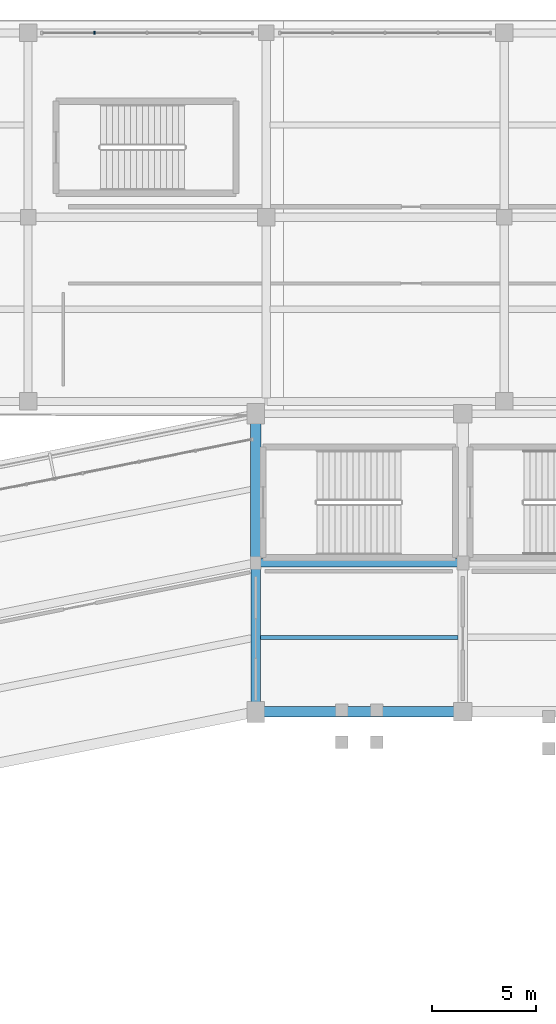
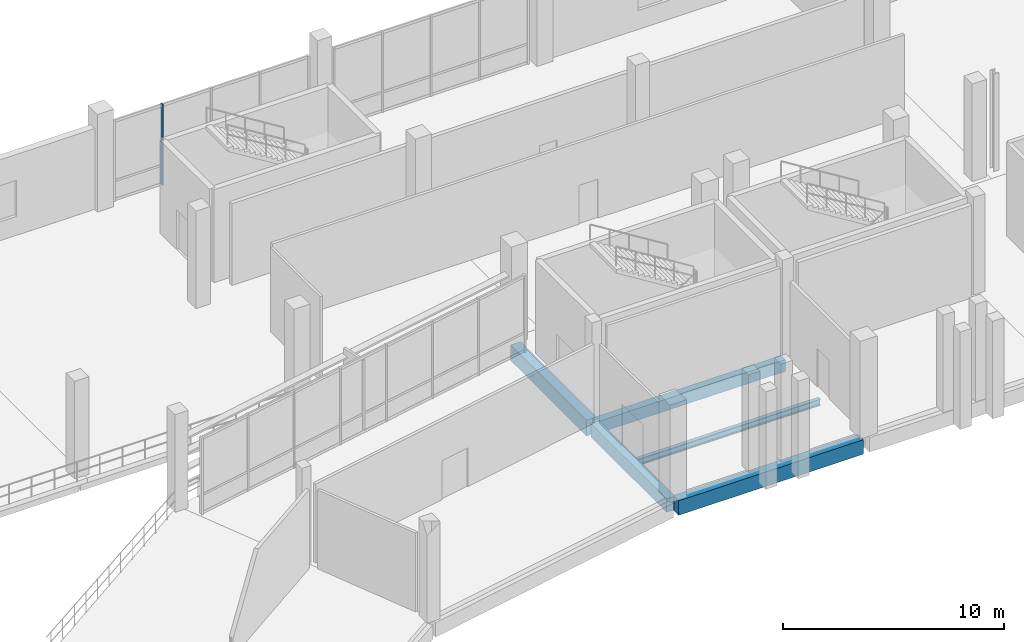
# One storey, part 50 of 114: 5 beams, 1 member, 1 element without a shape of its own.
"""IFC4 building model written with IfcOpenShell, lengths in metres."""

from ifc_helpers import new_model, si_unit, direction, frame, origin, origin_2d, place, context, subcontext, project, spatial, rectangle, i_section, extrude, material, material_profile, profile_set, type_object, element, aggregate, save


model = new_model("IFC4")

# Units and contexts
model_context = context("Model", 3, precision=1e-05, world=origin(), true_north=direction((0.0, 1.0)))
body_context = subcontext(model_context, "Body", "Model", "MODEL_VIEW")
ifc_project = project(units=[si_unit("LENGTHUNIT", "METRE"), si_unit("AREAUNIT", "SQUARE_METRE"), si_unit("VOLUMEUNIT", "CUBIC_METRE"), si_unit("PLANEANGLEUNIT", "RADIAN"), si_unit("MASSUNIT", "GRAM", prefix="KILO")], contexts=[model_context])

# Site, building, storey
site_placement = place(None, origin())
site = spatial("IfcSite", under=ifc_project, at=site_placement, CompositionType="ELEMENT")
building_placement = place(site_placement, origin())
building = spatial("IfcBuilding", under=site, at=building_placement, Name="Candeia Ridge Stadium", CompositionType="ELEMENT")
storey_placement = place(building_placement, frame((0.0, 0.0, 5.39990234375)))
storey = spatial("IfcBuildingStorey", under=building, at=storey_placement, Name="L01", CompositionType="ELEMENT", Elevation=5.39990234375)

# Beams
ifc_material_1 = material(Name="Concrete C45/55", Category="concrete")
ifc_material_profile_1 = material_profile(ifc_material_1, rectangle(XDim=0.449951171875, YDim=0.75, at=origin_2d()), Name="RC450x750", Category="concrete")
ifc_profile_set_1 = profile_set([ifc_material_profile_1], Name="Concrete C45/55")
beam_type_1 = type_object("IfcBeamType", Name="Bowl Radial Girder RC450x750", PredefinedType="BEAM", material=ifc_profile_set_1)
beam_1_placement = place(storey_placement, frame((71.0, 132.760009765625, -0.635009765625), z_axis=(0.0, 1.0, 0.0), x_axis=(-1.0, 0.0, 0.0)))
element("IfcBeam", 1, at=beam_1_placement, inside=storey, type_object=beam_type_1, Name="Bowl radial girder BM-L01-0015", PredefinedType="BEAM", context=body_context, shape_type="SweptSolid", body=[
    extrude(rectangle(XDim=0.449951171875, YDim=0.75, at=origin_2d()), origin(), (0.0, 0.0, 1.0), 6.8798828125),
])
ifc_material_2 = material(Name="Steel ASTM A572 Grade 50", Category="steel")
ifc_material_profile_2 = material_profile(ifc_material_2, i_section(OverallWidth=0.205078125, OverallDepth=0.35400390625, WebThickness=0.009521484375, FlangeThickness=0.016845703125, FilletRadius=0.014892578125, at=origin_2d()), Name="W360x79", Category="steel")
ifc_profile_set_2 = profile_set([ifc_material_profile_2], Name="Steel ASTM A572 Grade 50")
beam_type_2 = type_object("IfcBeamType", Name="Concourse Secondary Joist W360x79", PredefinedType="JOIST", material=ifc_profile_set_2)
beam_2_placement = place(storey_placement, frame((80.778076171875, 136.199951171875, -0.43701171875), z_axis=(-1.0, 0.0, 0.0), x_axis=(0.0, -1.0, 0.0)))
element("IfcBeam", 2, at=beam_2_placement, inside=storey, type_object=beam_type_2, Name="Concourse secondary joist BM-L01-0102", PredefinedType="JOIST", context=body_context, shape_type="SweptSolid", body=[
    extrude(i_section(OverallWidth=0.205078125, OverallDepth=0.35400390625, WebThickness=0.009521484375, FlangeThickness=0.016845703125, FilletRadius=0.014892578125, at=origin_2d()), origin(), (0.0, 0.0, 1.0), 9.55615234375),
])

# Curtain wall, member
ifc_material_3 = material(Name="Aluminium Anodized Warm Bronze", Category="aluminium")
curtain_wall_type = type_object("IfcCurtainWallType", Name="Museum & Boulevard Showcase Curtain Wall", PredefinedType="NOTDEFINED", material=ifc_material_3)
curtain_wall_placement = place(storey_placement, origin())
curtain_wall = element("IfcCurtainWall", 3, at=curtain_wall_placement, inside=storey, type_object=curtain_wall_type, Name="Unitised curtain wall CW-WNG-L01-142", PredefinedType="NOTDEFINED")
ifc_material_profile_3 = material_profile(ifc_material_3, rectangle(XDim=0.074951171875, YDim=0.14990234375, at=origin_2d()), Name="CWM-75x150", Category="aluminium")
ifc_profile_set_3 = profile_set([ifc_material_profile_3], Name="Aluminium Anodized Warm Bronze")
member_type = type_object("IfcMemberType", Name="Curtain Wall Secondary Mullion 75x150", PredefinedType="MULLION", material=ifc_profile_set_3)
member_placement = place(storey_placement, frame((63.205078125, 165.39990234375, 0.0), z_axis=(0.0, 0.0, 1.0), x_axis=(1.0, 0.0, 0.0)))
member = element("IfcMember", 4, at=member_placement, type_object=member_type, Name="Curtain wall mullion CW-WNG-L01-142-M1", PredefinedType="MULLION", context=body_context, shape_type="SweptSolid", body=[
    extrude(rectangle(XDim=0.074951171875, YDim=0.14990234375, at=origin_2d()), origin(), (0.0, 0.0, 1.0), 4.47509765625),
])
aggregate(curtain_wall, [member])

# Beams
ifc_material_4 = material(Name="Concrete C40/50", Category="concrete")
ifc_material_profile_4 = material_profile(ifc_material_4, rectangle(XDim=0.5, YDim=0.800048828125, at=origin_2d()), Name="RC500x800", Category="concrete")
ifc_profile_set_4 = profile_set([ifc_material_profile_4], Name="Concrete C40/50")
beam_type_3 = type_object("IfcBeamType", Name="Frame Girder RC500x800", PredefinedType="BEAM", material=ifc_profile_set_4)
beam_3_placement = place(storey_placement, frame((80.840087890625, 132.60009765625, -0.659912109375), z_axis=(-1.0, 0.0, 0.0), x_axis=(0.0, -1.0, 0.0)))
element("IfcBeam", 5, at=beam_3_placement, inside=storey, type_object=beam_type_3, Name="Bowl inner ring girder BM-L01-0099", PredefinedType="BEAM", context=body_context, shape_type="SweptSolid", body=[
    extrude(rectangle(XDim=0.5, YDim=0.800048828125, at=origin_2d()), origin(), (0.0, 0.0, 1.0), 9.68017578125),
])
ifc_material_profile_5 = material_profile(ifc_material_1, rectangle(XDim=0.52001953125, YDim=0.8798828125, at=origin_2d()), Name="RC520x880", Category="concrete")
ifc_profile_set_5 = profile_set([ifc_material_profile_5], Name="Concrete C45/55")
beam_type_4 = type_object("IfcBeamType", Name="Frame Girder RC520x880", PredefinedType="BEAM", material=ifc_profile_set_5)
beam_4_placement = place(storey_placement, frame((71.0, 139.9599609375, -0.699951171875), z_axis=(0.0, 1.0, 0.0), x_axis=(-1.0, 0.0, 0.0)))
element("IfcBeam", 6, at=beam_4_placement, inside=storey, type_object=beam_type_4, Name="Bowl radial girder BM-L01-0016", PredefinedType="BEAM", context=body_context, shape_type="SweptSolid", body=[
    extrude(rectangle(XDim=0.52001953125, YDim=0.8798828125, at=origin_2d()), origin(), (0.0, 0.0, 1.0), 6.880126953125),
])
ifc_material_profile_6 = material_profile(ifc_material_4, rectangle(XDim=0.39990234375, YDim=0.64990234375, at=origin_2d()), Name="RC400x650", Category="concrete")
ifc_profile_set_6 = profile_set([ifc_material_profile_6], Name="Concrete C40/50")
beam_type_5 = type_object("IfcBeamType", Name="Wing Primary Girder RC400x650", PredefinedType="BEAM", material=ifc_profile_set_6)
beam_5_placement = place(storey_placement, frame((80.949951171875, 139.800048828125, -0.5849609375), z_axis=(-1.0, 0.0, 0.0), x_axis=(0.0, -1.0, 0.0)))
element("IfcBeam", 7, at=beam_5_placement, inside=storey, type_object=beam_type_5, Name="Concourse spine girder BM-L01-0100", PredefinedType="BEAM", context=body_context, shape_type="SweptSolid", body=[
    extrude(rectangle(XDim=0.39990234375, YDim=0.64990234375, at=origin_2d()), origin(), (0.0, 0.0, 1.0), 9.89990234375),
])

save(model, "model.ifc")
